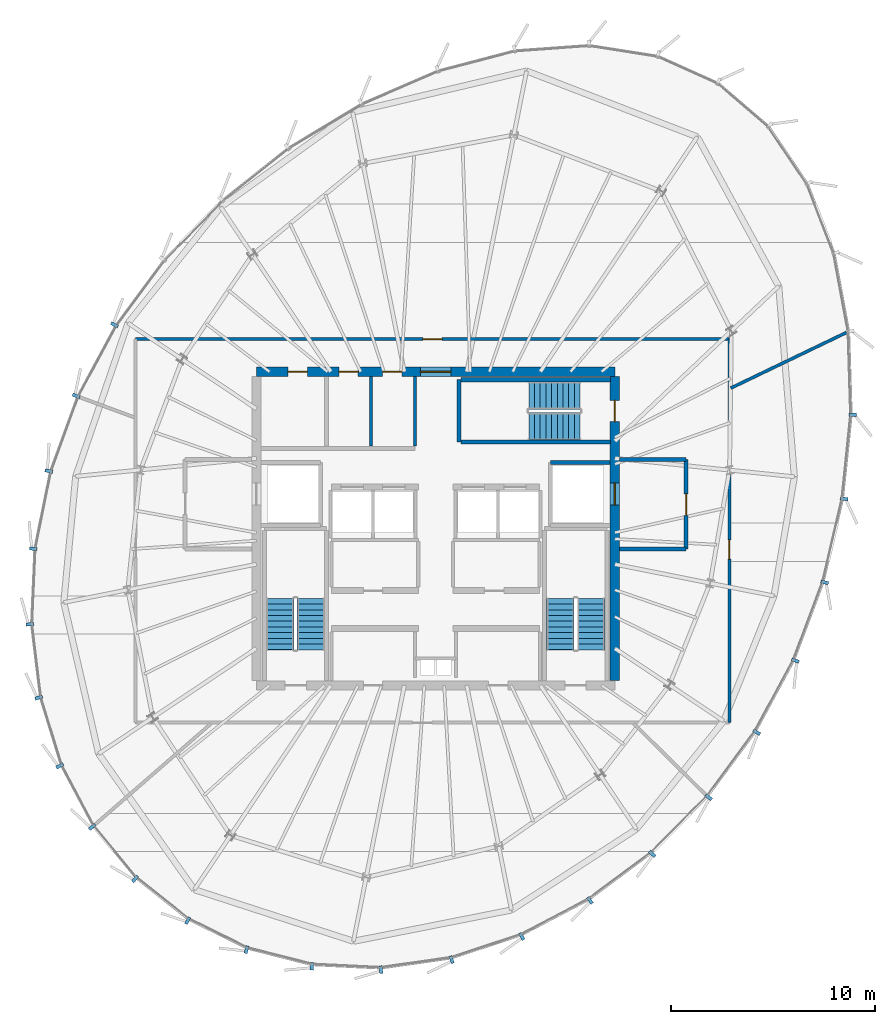
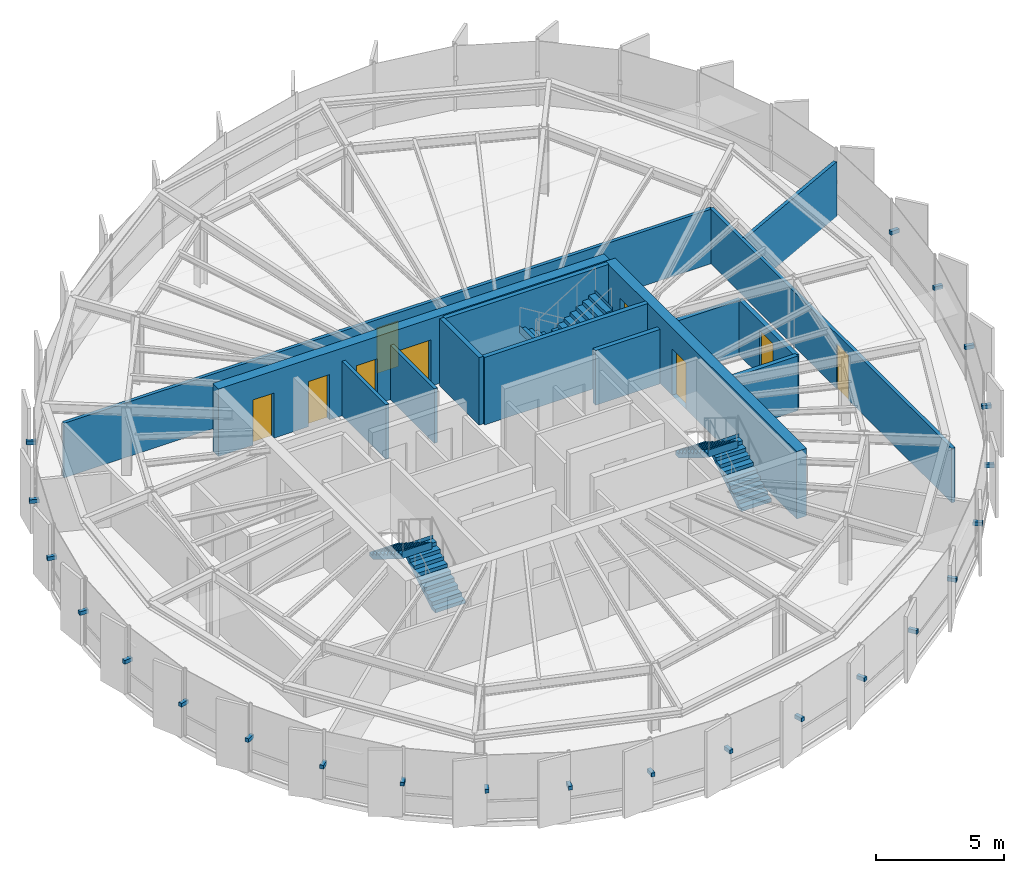
# One storey, part 27 of 33: 23 discrete accessories, 14 walls, 9 doors, 6 stair flights, 9 openings, 3 elements without a shape of their own.
"""IFC4 building model written with IfcOpenShell, lengths in metres."""

from ifc_helpers import new_model, si_unit, direction, frame, frame_2d, origin, origin_2d, place, context, subcontext, project, spatial, polyline, rectangle, outline, extrude, source, transform, mapped, material, layer, layer_set, type_object, element, fill, aggregate, save


model = new_model("IFC4")

# Units and contexts
model_context = context("Model", 3, precision=1e-05, world=origin(), true_north=direction((0.0, 1.0)))
body_context = subcontext(model_context, "Body", "Model", "MODEL_VIEW")
ifc_project = project(units=[si_unit("LENGTHUNIT", "METRE"), si_unit("AREAUNIT", "SQUARE_METRE"), si_unit("VOLUMEUNIT", "CUBIC_METRE"), si_unit("PLANEANGLEUNIT", "RADIAN"), si_unit("MASSUNIT", "GRAM", prefix="KILO"), si_unit("THERMODYNAMICTEMPERATUREUNIT", "KELVIN")], contexts=[model_context])

# Site, building, storey
site_placement = place(None, origin())
site = spatial("IfcSite", under=ifc_project, at=site_placement, CompositionType="ELEMENT")
building_placement = place(site_placement, origin())
building = spatial("IfcBuilding", under=site, at=building_placement, Name="Kethvar Cultural Tower", CompositionType="ELEMENT")
storey_placement = place(building_placement, frame((0.0, 0.0, 266.35009765625)))
storey = spatial("IfcBuildingStorey", under=building, at=storey_placement, Name="L70", CompositionType="ELEMENT", Elevation=266.35009765625)

# Wall, openings, doors
ifc_material_1 = material(Name="Concrete C50/60", Category="concrete")
ifc_layer_1 = layer(ifc_material_1, 0.449951171875, Name="Concrete C50/60", Category="concrete")
ifc_layer_set_1 = layer_set([ifc_layer_1], Name="Concrete C50/60 (450 mm)")
wall_type_1 = type_object("IfcWallType", Name="WL-CORE-450", PredefinedType="SHEAR", material=ifc_layer_set_1)
wall_1_placement = place(storey_placement, frame((55.60009765625, 35.5, 0.0), z_axis=(0.0, 0.0, 1.0), x_axis=(-1.0, 0.0, 0.0)))
wall_1 = element("IfcWall", 1, at=wall_1_placement, inside=storey, type_object=wall_type_1, Name="L70 Core Shear Wall N", PredefinedType="SHEAR", context=body_context, shape_type="SweptSolid", body=[
    extrude(rectangle(XDim=17.60009765625, YDim=0.449951171875, at=frame_2d((8.800048828125, 0.0))), origin(), (0.0, 0.0, 1.0), 3.2099609375),
])
opening_1_placement = place(wall_1_placement, frame((8.050048828125, 0.0, 0.0)))
opening_1 = element("IfcOpeningElement", 2, at=opening_1_placement, cuts=wall_1, Name="Opening D-L70-LN", PredefinedType="OPENING", context=body_context, shape_type="SweptSolid", body=[
    extrude(rectangle(XDim=1.5, YDim=2.199951171875, at=frame_2d((0.75, 1.10009765625))), frame((0.0, 0.23486328125, 0.0), z_axis=(0.0, -1.0, 0.0), x_axis=(1.0, 0.0, 0.0)), (0.0, 0.0, 1.0), 0.469970703125),
])
opening_2_placement = place(wall_1_placement, frame((15.10009765625, 0.0, 0.0)))
opening_2 = element("IfcOpeningElement", 3, at=opening_2_placement, cuts=wall_1, Name="Opening D-L70-E1", PredefinedType="OPENING", context=body_context, shape_type="SweptSolid", body=[
    extrude(rectangle(XDim=0.949951171875, YDim=2.14990234375, at=frame_2d((0.47509765625, 1.074951171875))), frame((0.0, 0.23486328125, 0.0), z_axis=(0.0, -1.0, 0.0), x_axis=(1.0, 0.0, 0.0)), (0.0, 0.0, 1.0), 0.469970703125),
])
opening_3_placement = place(wall_1_placement, frame((12.60009765625, 0.0, 0.0)))
opening_3 = element("IfcOpeningElement", 4, at=opening_3_placement, cuts=wall_1, Name="Opening D-L70-W1", PredefinedType="OPENING", context=body_context, shape_type="SweptSolid", body=[
    extrude(rectangle(XDim=0.949951171875, YDim=2.14990234375, at=frame_2d((0.47509765625, 1.074951171875))), frame((0.0, 0.23486328125, 0.0), z_axis=(0.0, -1.0, 0.0), x_axis=(1.0, 0.0, 0.0)), (0.0, 0.0, 1.0), 0.469970703125),
])
opening_4_placement = place(wall_1_placement, frame((10.449951171875, 0.0, 0.0)))
opening_4 = element("IfcOpeningElement", 5, at=opening_4_placement, cuts=wall_1, Name="Opening D-L70-W2", PredefinedType="OPENING", context=body_context, shape_type="SweptSolid", body=[
    extrude(rectangle(XDim=0.949951171875, YDim=2.14990234375, at=frame_2d((0.47509765625, 1.074951171875))), frame((0.0, 0.23486328125, 0.0), z_axis=(0.0, -1.0, 0.0), x_axis=(1.0, 0.0, 0.0)), (0.0, 0.0, 1.0), 0.469970703125),
])
ifc_material_2 = material(Name="Architectural Oak Timber", Category="wood")
door_type_1 = type_object("IfcDoorType", Name="DR-DBL-FD60-1500", OperationType="DOUBLE_DOOR_SINGLE_SWING", PredefinedType="DOOR", material=ifc_material_2)
shared_shape_1 = source(origin(), body_context, "Body", "SweptSolid", [
    extrude(rectangle(XDim=1.5, YDim=2.199951171875, at=frame_2d((0.75, 1.10009765625))), frame((0.0, 0.02490234375, 0.0), z_axis=(0.0, -1.0, 0.0), x_axis=(1.0, 0.0, 0.0)), (0.0, 0.0, 1.0), 0.050048828125),
])
door_1_placement = place(opening_1_placement, origin())
door_1 = element("IfcDoor", 6, at=door_1_placement, inside=storey, type_object=door_type_1, Name="L70 Lift Lobby Concourse Door", OperationType="DOUBLE_DOOR_SINGLE_SWING", OverallHeight=2.199951171875, OverallWidth=1.5, PredefinedType="DOOR", context=body_context, shape_type="MappedRepresentation", body=[
    mapped(shared_shape_1, transform((0.0, 0.0, 0.0), scale=1.0)),
])
fill(opening_1, door_1)
door_type_2 = type_object("IfcDoorType", Name="DR-FD30-950", OperationType="NOTDEFINED", PredefinedType="DOOR", material=ifc_material_2)
shared_shape_2 = source(origin(), body_context, "Body", "SweptSolid", [
    extrude(rectangle(XDim=0.949951171875, YDim=2.14990234375, at=frame_2d((0.47509765625, 1.074951171875))), frame((0.0, 0.02490234375, 0.0), z_axis=(0.0, -1.0, 0.0), x_axis=(1.0, 0.0, 0.0)), (0.0, 0.0, 1.0), 0.050048828125),
])
door_2_placement = place(opening_2_placement, origin())
door_2 = element("IfcDoor", 7, at=door_2_placement, inside=storey, type_object=door_type_2, Name="L70 Electrical Switchgear Door", OperationType="SINGLE_SWING_RIGHT", OverallHeight=2.14990234375, OverallWidth=0.949951171875, PredefinedType="DOOR", context=body_context, shape_type="MappedRepresentation", body=[
    mapped(shared_shape_2, transform((0.0, 0.0, 0.0), scale=1.0)),
])
fill(opening_2, door_2)
door_3_placement = place(opening_3_placement, origin())
door_3 = element("IfcDoor", 8, at=door_3_placement, inside=storey, type_object=door_type_2, Name="L70 Accessible Washroom Door", OperationType="SINGLE_SWING_LEFT", OverallHeight=2.14990234375, OverallWidth=0.949951171875, PredefinedType="DOOR", context=body_context, shape_type="MappedRepresentation", body=[
    mapped(shared_shape_2, transform((0.0, 0.0, 0.0), scale=1.0)),
])
fill(opening_3, door_3)
door_4_placement = place(opening_4_placement, origin())
door_4 = element("IfcDoor", 9, at=door_4_placement, inside=storey, type_object=door_type_2, Name="L70 Public Washroom Door", OperationType="SINGLE_SWING_RIGHT", OverallHeight=2.14990234375, OverallWidth=0.949951171875, PredefinedType="DOOR", context=body_context, shape_type="MappedRepresentation", body=[
    mapped(shared_shape_2, transform((0.0, 0.0, 0.0), scale=1.0)),
])
fill(opening_4, door_4)

wall_2_placement = place(storey_placement, frame((55.60009765625, 20.340087890625, 0.0), z_axis=(0.0, 0.0, 1.0), x_axis=(0.0, 1.0, 0.0)))
wall_2 = element("IfcWall", 10, at=wall_2_placement, inside=storey, type_object=wall_type_1, Name="L70 Core Shear Wall E", PredefinedType="SHEAR", context=body_context, shape_type="SweptSolid", body=[
    extrude(rectangle(XDim=14.919921875, YDim=0.449951171875, at=frame_2d((7.4599609375, 0.0))), origin(), (0.0, 0.0, 1.0), 3.2099609375),
])
opening_5_placement = place(wall_2_placement, frame((12.7099609375, 0.0, 0.0)))
opening_5 = element("IfcOpeningElement", 11, at=opening_5_placement, cuts=wall_2, Name="Opening D-L70-S3", PredefinedType="OPENING", context=body_context, shape_type="SweptSolid", body=[
    extrude(rectangle(XDim=1.050048828125, YDim=2.14990234375, at=frame_2d((0.52490234375, 1.074951171875))), frame((0.0, 0.23486328125, 0.0), z_axis=(0.0, -1.0, 0.0), x_axis=(1.0, 0.0, 0.0)), (0.0, 0.0, 1.0), 0.469970703125),
])
opening_6_placement = place(wall_2_placement, frame((8.610107421875, 0.0, 0.0)))
opening_6 = element("IfcOpeningElement", 12, at=opening_6_placement, cuts=wall_2, Name="Opening LD-2", PredefinedType="OPENING", context=body_context, shape_type="SweptSolid", body=[
    extrude(rectangle(XDim=1.10009765625, YDim=2.199951171875, at=frame_2d((0.550048828125, 1.10009765625))), frame((0.0, 0.23486328125, 0.0), z_axis=(0.0, -1.0, 0.0), x_axis=(1.0, 0.0, 0.0)), (0.0, 0.0, 1.0), 0.469970703125),
])
ifc_material_3 = material(Name="Steel S355J2", Category="steel")
door_type_3 = type_object("IfcDoorType", Name="DR-FD60-1050", OperationType="NOTDEFINED", PredefinedType="DOOR", material=ifc_material_3)
shared_shape_3 = source(origin(), body_context, "Body", "SweptSolid", [
    extrude(rectangle(XDim=1.050048828125, YDim=2.14990234375, at=frame_2d((0.52490234375, 1.074951171875))), frame((0.0, 0.02490234375, 0.0), z_axis=(0.0, -1.0, 0.0), x_axis=(1.0, 0.0, 0.0)), (0.0, 0.0, 1.0), 0.050048828125),
])
door_5_placement = place(opening_5_placement, origin())
door_5 = element("IfcDoor", 13, at=door_5_placement, inside=storey, type_object=door_type_3, Name="L70 Exit Stair 3 Door", OperationType="SINGLE_SWING_LEFT", OverallHeight=2.14990234375, OverallWidth=1.050048828125, PredefinedType="DOOR", context=body_context, shape_type="MappedRepresentation", body=[
    mapped(shared_shape_3, transform((0.0, 0.0, 0.0), scale=1.0)),
])
fill(opening_5, door_5)
door_type_4 = type_object("IfcDoorType", Name="DR-LIFT-SLIDE-1100", OperationType="NOTDEFINED", PredefinedType="DOOR", material=ifc_material_3)
shared_shape_4 = source(origin(), body_context, "Body", "SweptSolid", [
    extrude(rectangle(XDim=1.10009765625, YDim=2.199951171875, at=frame_2d((0.550048828125, 1.10009765625))), frame((0.0, 0.02490234375, 0.0), z_axis=(0.0, -1.0, 0.0), x_axis=(1.0, 0.0, 0.0)), (0.0, 0.0, 1.0), 0.050048828125),
])
door_6_placement = place(opening_6_placement, origin())
door_6 = element("IfcDoor", 14, at=door_6_placement, inside=storey, type_object=door_type_4, Name="L70 Firefighting Lift Landing Door FFL-02", OperationType="SLIDING_TO_RIGHT", OverallHeight=2.199951171875, OverallWidth=1.10009765625, PredefinedType="DOOR", context=body_context, shape_type="MappedRepresentation", body=[
    mapped(shared_shape_4, transform((0.0, 0.0, 0.0), scale=1.0)),
])
fill(opening_6, door_6)

# Wall
ifc_material_4 = material(Name="Gypsum Fireboard Partition")
ifc_layer_2 = layer(ifc_material_4, 0.14990234375, Name="Gypsum Fireboard Partition")
ifc_layer_set_2 = layer_set([ifc_layer_2], Name="Gypsum Fireboard Partition (150 mm)")
wall_type_2 = type_object("IfcWallType", Name="WL-FIRE-150", PredefinedType="PARTITIONING", material=ifc_layer_set_2)
wall_3_placement = place(storey_placement, frame((45.800048828125, 31.85009765625, 0.0), z_axis=(0.0, 0.0, 1.0), x_axis=(0.0, 1.0, 0.0)))
element("IfcWall", 15, at=wall_3_placement, inside=storey, type_object=wall_type_2, Name="L70 Sanitary Spine Wall", PredefinedType="PARTITIONING", context=body_context, shape_type="SweptSolid", body=[
    extrude(rectangle(XDim=3.414794921875, YDim=0.14990234375, at=frame_2d((1.70751953125, 0.0))), origin(), (0.0, 0.0, 1.0), 2.594970703125),
])

# Wall, opening, door
wall_4_placement = place(storey_placement, frame((61.22607421875, 18.26904296875, 0.0), z_axis=(0.0, 0.0, 1.0), x_axis=(0.0, 1.0, 0.0)))
wall_4 = element("IfcWall", 16, at=wall_4_placement, inside=storey, type_object=wall_type_2, Name="L70 Corridor Rated Wall E", PredefinedType="PARTITIONING", context=body_context, shape_type="SweptSolid", body=[
    extrude(rectangle(XDim=18.8310546875, YDim=0.14990234375, at=frame_2d((9.41552734375, 0.0))), origin(), (0.0, 0.0, 1.0), 2.594970703125),
])
opening_7_placement = place(wall_4_placement, frame((8.027587890625, 0.0, 0.0)))
opening_7 = element("IfcOpeningElement", 17, at=opening_7_placement, cuts=wall_4, Name="Opening D-L70-02", PredefinedType="OPENING", context=body_context, shape_type="SweptSolid", body=[
    extrude(rectangle(XDim=0.949951171875, YDim=2.14990234375, at=frame_2d((0.47509765625, 1.074951171875))), frame((0.0, 0.0849609375, 0.0), z_axis=(0.0, -1.0, 0.0), x_axis=(1.0, 0.0, 0.0)), (0.0, 0.0, 1.0), 0.169921875),
])
door_7_placement = place(opening_7_placement, origin())
door_7 = element("IfcDoor", 18, at=door_7_placement, inside=storey, type_object=door_type_2, Name="L70 Registrar Staff Room 02 Door", OperationType="SINGLE_SWING_RIGHT", OverallHeight=2.14990234375, OverallWidth=0.949951171875, PredefinedType="DOOR", context=body_context, shape_type="MappedRepresentation", body=[
    mapped(shared_shape_2, transform((0.0, 0.0, 0.0), scale=1.0)),
])
fill(opening_7, door_7)

wall_5_placement = place(storey_placement, frame((61.22607421875, 37.10009765625, 0.0), z_axis=(0.0, 0.0, 1.0), x_axis=(-1.0, 0.0, 0.0)))
wall_5 = element("IfcWall", 19, at=wall_5_placement, inside=storey, type_object=wall_type_2, Name="L70 Corridor Rated Wall N", PredefinedType="PARTITIONING", context=body_context, shape_type="SweptSolid", body=[
    extrude(rectangle(XDim=29.156005859375, YDim=0.14990234375, at=frame_2d((14.578125, 0.0))), origin(), (0.0, 0.0, 1.0), 2.594970703125),
])
opening_8_placement = place(wall_5_placement, frame((14.10302734375, 0.0, 0.0)))
opening_8 = element("IfcOpeningElement", 20, at=opening_8_placement, cuts=wall_5, Name="Opening D-L70-03", PredefinedType="OPENING", context=body_context, shape_type="SweptSolid", body=[
    extrude(rectangle(XDim=0.949951171875, YDim=2.14990234375, at=frame_2d((0.47509765625, 1.074951171875))), frame((0.0, 0.0849609375, 0.0), z_axis=(0.0, -1.0, 0.0), x_axis=(1.0, 0.0, 0.0)), (0.0, 0.0, 1.0), 0.169921875),
])
door_8_placement = place(opening_8_placement, origin())
door_8 = element("IfcDoor", 21, at=door_8_placement, inside=storey, type_object=door_type_2, Name="L70 Delegation Briefing Foyer 03 Door", OperationType="SINGLE_SWING_LEFT", OverallHeight=2.14990234375, OverallWidth=0.949951171875, PredefinedType="DOOR", context=body_context, shape_type="MappedRepresentation", body=[
    mapped(shared_shape_2, transform((0.0, 0.0, 0.0), scale=1.0)),
])
fill(opening_8, door_8)

# Wall
ifc_material_5 = material(Name="Concrete C40/50", Category="concrete")
ifc_layer_3 = layer(ifc_material_5, 0.199951171875, Name="Concrete C40/50", Category="concrete")
ifc_layer_set_3 = layer_set([ifc_layer_3], Name="Concrete C40/50 (200 mm)")
wall_type_3 = type_object("IfcWallType", Name="WL-FIRE-200", PredefinedType="PARTITIONING", material=ifc_layer_set_3)
wall_6_placement = place(storey_placement, frame((52.449951171875, 31.050048828125, 0.0), z_axis=(0.0, 0.0, 1.0), x_axis=(1.0, 0.0, 0.0)))
element("IfcWall", 22, at=wall_6_placement, inside=storey, type_object=wall_type_3, Name="L70 FFL-02 Shaft North Wall", PredefinedType="PARTITIONING", context=body_context, shape_type="SweptSolid", body=[
    extrude(rectangle(XDim=2.9150390625, YDim=0.199951171875, at=frame_2d((1.45751953125, 0.0))), origin(), (0.0, 0.0, 1.0), 2.594970703125),
])

# Wall, opening, door
wall_7_placement = place(storey_placement, frame((59.10009765625, 26.800048828125, 0.0), z_axis=(0.0, 0.0, 1.0), x_axis=(0.0, 1.0, 0.0)))
wall_7 = element("IfcWall", 23, at=wall_7_placement, inside=storey, type_object=wall_type_3, Name="L70 Firefighting Lobby 2 Wall", PredefinedType="PARTITIONING", context=body_context, shape_type="SweptSolid", body=[
    extrude(rectangle(XDim=4.39990234375, YDim=0.199951171875, at=frame_2d((2.199951171875, 0.0))), origin(), (0.0, 0.0, 1.0), 2.594970703125),
])
opening_9_placement = place(wall_7_placement, frame((1.64990234375, 0.0, 0.0)))
opening_9 = element("IfcOpeningElement", 24, at=opening_9_placement, cuts=wall_7, Name="Opening D-L70-F2", PredefinedType="OPENING", context=body_context, shape_type="SweptSolid", body=[
    extrude(rectangle(XDim=1.050048828125, YDim=2.14990234375, at=frame_2d((0.52490234375, 1.074951171875))), frame((0.0, 0.10986328125, 0.0), z_axis=(0.0, -1.0, 0.0), x_axis=(1.0, 0.0, 0.0)), (0.0, 0.0, 1.0), 0.219970703125),
])
door_9_placement = place(opening_9_placement, origin())
door_9 = element("IfcDoor", 25, at=door_9_placement, inside=storey, type_object=door_type_3, Name="L70 Firefighting Lobby 2 Fire Door", OperationType="SINGLE_SWING_LEFT", OverallHeight=2.14990234375, OverallWidth=1.050048828125, PredefinedType="DOOR", context=body_context, shape_type="MappedRepresentation", body=[
    mapped(shared_shape_3, transform((0.0, 0.0, 0.0), scale=1.0)),
])
fill(opening_9, door_9)

# Walls
for number, where, z_axis, x_axis, name in (
    (26, (55.8349609375, 26.800048828125, 0.0), (0.0, 0.0, 1.0), (1.0, 0.0, 0.0), "L70 FF Lobby 2 South Wall"),
    (27, (55.8349609375, 31.199951171875, 0.0), (0.0, 0.0, 1.0), (1.0, 0.0, 0.0), "L70 FF Lobby 2 North Wall"),
):
    element("IfcWall", number, at=place(storey_placement, frame(where, z_axis=z_axis, x_axis=x_axis)), inside=storey, type_object=wall_type_3, Name=name, PredefinedType="PARTITIONING", context=body_context, shape_type="SweptSolid", body=[
        extrude(rectangle(XDim=3.26513671875, YDim=0.199951171875, at=frame_2d((1.632568359375, 0.0))), origin(), (0.0, 0.0, 1.0), 2.594970703125),
    ])
ifc_material_6 = material(Name="Gypsum Acoustic Partition")
ifc_layer_4 = layer(ifc_material_6, 0.14990234375, Name="Gypsum Acoustic Partition")
ifc_layer_set_4 = layer_set([ifc_layer_4], Name="Gypsum Acoustic Partition (150 mm)")
wall_type_4 = type_object("IfcWallType", Name="WL-PART-150", PredefinedType="PARTITIONING", material=ifc_layer_set_4)
wall_8_placement = place(storey_placement, frame((61.298095703125, 34.698486328125, 0.0), z_axis=(0.0, 0.0, 1.0), x_axis=(0.901269589743, 0.433258729403, 0.0)))
element("IfcWall", 28, at=wall_8_placement, inside=storey, type_object=wall_type_4, Name="L70 Radial Partition Wall 03", PredefinedType="PARTITIONING", context=body_context, shape_type="SweptSolid", body=[
    extrude(rectangle(XDim=6.301513671875, YDim=0.14990234375, at=frame_2d((3.15087890625, 0.0))), origin(), (0.0, 0.0, 1.0), 2.594970703125),
])
ifc_material_7 = material(Name="Moisture-Resistant Sanitary Chase Wall")
ifc_layer_5 = layer(ifc_material_7, 0.14990234375, Name="Moisture-Resistant Sanitary Chase Wall")
ifc_layer_set_5 = layer_set([ifc_layer_5], Name="Moisture-Resistant Sanitary Chase Wall (150 mm)")
wall_type_5 = type_object("IfcWallType", Name="WL-PLUMB-150", PredefinedType="PLUMBINGWALL", material=ifc_layer_set_5)
wall_9_placement = place(storey_placement, frame((43.6201171875, 31.85009765625, 0.0), z_axis=(0.0, 0.0, 1.0), x_axis=(0.0, 1.0, 0.0)))
element("IfcWall", 29, at=wall_9_placement, inside=storey, type_object=wall_type_5, Name="L70 Sanitary Plumbing Wall", PredefinedType="PLUMBINGWALL", context=body_context, shape_type="SweptSolid", body=[
    extrude(rectangle(XDim=3.414794921875, YDim=0.14990234375, at=frame_2d((1.70751953125, 0.0))), origin(), (0.0, 0.0, 1.0), 2.594970703125),
])
ifc_layer_6 = layer(ifc_material_1, 0.199951171875, Name="Concrete C50/60", Category="concrete")
ifc_layer_set_6 = layer_set([ifc_layer_6], Name="Concrete C50/60 (200 mm)")
wall_type_6 = type_object("IfcWallType", Name="WL-STSHAFT-200", PredefinedType="SHEAR", material=ifc_layer_set_6)
wall_10_placement = place(storey_placement, frame((47.949951171875, 32.050048828125, 0.0), z_axis=(0.0, 0.0, 1.0), x_axis=(0.0, 1.0, 0.0)))
element("IfcWall", 30, at=wall_10_placement, inside=storey, type_object=wall_type_6, Name="L70 ST-03 Stair Shaft Wall FAR", PredefinedType="SHEAR", context=body_context, shape_type="SweptSolid", body=[
    extrude(rectangle(XDim=3.06005859375, YDim=0.199951171875, at=frame_2d((1.530029296875, 0.0))), origin(), (0.0, 0.0, 1.0), 3.2099609375),
])
for number, where, z_axis, x_axis, name in (
    (31, (48.050048828125, 35.110107421875, 0.0), (0.0, 0.0, 1.0), (1.0, 0.0, 0.0), "L70 ST-03 Stair Shaft Wall LEFT"),
    (32, (55.39990234375, 32.050048828125, 0.0), (0.0, 0.0, 1.0), (-1.0, 0.0, 0.0), "L70 ST-03 Stair Shaft Wall RIGHT"),
):
    element("IfcWall", number, at=place(storey_placement, frame(where, z_axis=z_axis, x_axis=x_axis)), inside=storey, type_object=wall_type_6, Name=name, PredefinedType="SHEAR", context=body_context, shape_type="SweptSolid", body=[
        extrude(rectangle(XDim=7.349853515625, YDim=0.199951171875, at=frame_2d((3.6748046875, 0.0))), origin(), (0.0, 0.0, 1.0), 3.2099609375),
    ])

# Stair, stair flights
stair_type = type_object("IfcStairType", Name="ST-DOGLEG-135", PredefinedType="HALF_TURN_STAIR", material=ifc_material_5)
stair_1_placement = place(storey_placement, origin())
stair_1 = element("IfcStair", 33, at=stair_1_placement, inside=storey, type_object=stair_type, Name="L70 Core Exit Stair 1", PredefinedType="HALF_TURN_STAIR")
stair_flight_type = type_object("IfcStairFlightType", Name="FL-STRAIGHT-135", PredefinedType="STRAIGHT", material=ifc_material_5)
stair_flight_1_placement = place(storey_placement, frame((40.675048828125, 21.85009765625, 0.0), z_axis=(0.0, 0.0, 1.0), x_axis=(0.0, 1.0, 0.0)))
stair_flight_1 = element("IfcStairFlight", 34, at=stair_flight_1_placement, type_object=stair_flight_type, Name="ST-01 flight 1", NumberOfRisers=10, NumberOfTreads=9, PredefinedType="STRAIGHT", RiserHeight=0.1725, TreadLength=0.28, context=body_context, shape_type="SweptSolid", body=[
    extrude(outline(polyline([(-0.0009765625, -0.0009765625), (-0.0009765625, 0.172607421875), (0.280029296875, 0.172607421875), (0.280029296875, 0.344970703125), (0.56005859375, 0.344970703125), (0.56005859375, 0.517578125), (0.840087890625, 0.517578125), (0.840087890625, 0.68994140625), (1.1201171875, 0.68994140625), (1.1201171875, 0.862548828125), (1.39990234375, 0.862548828125), (1.39990234375, 1.034912109375), (1.679931640625, 1.034912109375), (1.679931640625, 1.20751953125), (1.9599609375, 1.20751953125), (1.9599609375, 1.3798828125), (2.239990234375, 1.3798828125), (2.239990234375, 1.552490234375), (2.52001953125, 1.552490234375), (2.52001953125, 1.72509765625), (2.52099609375, 1.72509765625), (2.52099609375, 1.37646484375), (0.285888671875, 0.0), (0.0, -0.0009765625), (-0.0009765625, -0.0009765625)])), frame((0.0, 0.675048828125, 0.0), z_axis=(0.0, -1.0, 0.0), x_axis=(1.0, 0.0, 0.0)), (0.0, 0.0, 1.0), 1.35009765625),
])
stair_flight_2_placement = place(storey_placement, frame((39.1650390625, 24.3701171875, 1.724853515625), z_axis=(0.0, 0.0, 1.0), x_axis=(0.0, -1.0, 0.0)))
stair_flight_2 = element("IfcStairFlight", 35, at=stair_flight_2_placement, type_object=stair_flight_type, Name="ST-01 flight 2", NumberOfRisers=10, NumberOfTreads=9, PredefinedType="STRAIGHT", RiserHeight=0.1725, TreadLength=0.28, context=body_context, shape_type="SweptSolid", body=[
    extrude(outline(polyline([(-0.0009765625, -0.0009765625), (-0.0009765625, 0.172607421875), (0.280029296875, 0.172607421875), (0.280029296875, 0.344970703125), (0.56005859375, 0.344970703125), (0.56005859375, 0.517578125), (0.840087890625, 0.517578125), (0.840087890625, 0.68994140625), (1.1201171875, 0.68994140625), (1.1201171875, 0.862548828125), (1.39990234375, 0.862548828125), (1.39990234375, 1.034912109375), (1.679931640625, 1.034912109375), (1.679931640625, 1.20751953125), (1.9599609375, 1.20751953125), (1.9599609375, 1.3798828125), (2.239990234375, 1.3798828125), (2.239990234375, 1.552490234375), (2.52001953125, 1.552490234375), (2.52001953125, 1.72509765625), (2.52099609375, 1.72509765625), (2.52099609375, 1.37646484375), (0.285888671875, 0.0), (0.0, -0.0009765625), (-0.0009765625, -0.0009765625)])), frame((0.0, 0.675048828125, 0.0), z_axis=(0.0, -1.0, 0.0), x_axis=(1.0, 0.0, 0.0)), (0.0, 0.0, 1.0), 1.35009765625),
])
aggregate(stair_1, [stair_flight_1, stair_flight_2])

stair_2_placement = place(storey_placement, origin())
stair_2 = element("IfcStair", 36, at=stair_2_placement, inside=storey, type_object=stair_type, Name="L70 Core Exit Stair 2", PredefinedType="HALF_TURN_STAIR")
stair_flight_3_placement = place(storey_placement, frame((54.43505859375, 21.85009765625, 0.0), z_axis=(0.0, 0.0, 1.0), x_axis=(0.0, 1.0, 0.0)))
stair_flight_3 = element("IfcStairFlight", 37, at=stair_flight_3_placement, type_object=stair_flight_type, Name="ST-02 flight 1", NumberOfRisers=10, NumberOfTreads=9, PredefinedType="STRAIGHT", RiserHeight=0.1725, TreadLength=0.28, context=body_context, shape_type="SweptSolid", body=[
    extrude(outline(polyline([(-0.0009765625, -0.0009765625), (-0.0009765625, 0.172607421875), (0.280029296875, 0.172607421875), (0.280029296875, 0.344970703125), (0.56005859375, 0.344970703125), (0.56005859375, 0.517578125), (0.840087890625, 0.517578125), (0.840087890625, 0.68994140625), (1.1201171875, 0.68994140625), (1.1201171875, 0.862548828125), (1.39990234375, 0.862548828125), (1.39990234375, 1.034912109375), (1.679931640625, 1.034912109375), (1.679931640625, 1.20751953125), (1.9599609375, 1.20751953125), (1.9599609375, 1.3798828125), (2.239990234375, 1.3798828125), (2.239990234375, 1.552490234375), (2.52001953125, 1.552490234375), (2.52001953125, 1.72509765625), (2.52099609375, 1.72509765625), (2.52099609375, 1.37646484375), (0.285888671875, 0.0), (0.0, -0.0009765625), (-0.0009765625, -0.0009765625)])), frame((0.0, 0.675048828125, 0.0), z_axis=(0.0, -1.0, 0.0), x_axis=(1.0, 0.0, 0.0)), (0.0, 0.0, 1.0), 1.35009765625),
])
stair_flight_4_placement = place(storey_placement, frame((52.925048828125, 24.3701171875, 1.724853515625), z_axis=(0.0, 0.0, 1.0), x_axis=(0.0, -1.0, 0.0)))
stair_flight_4 = element("IfcStairFlight", 38, at=stair_flight_4_placement, type_object=stair_flight_type, Name="ST-02 flight 2", NumberOfRisers=10, NumberOfTreads=9, PredefinedType="STRAIGHT", RiserHeight=0.1725, TreadLength=0.28, context=body_context, shape_type="SweptSolid", body=[
    extrude(outline(polyline([(-0.0009765625, -0.0009765625), (-0.0009765625, 0.172607421875), (0.280029296875, 0.172607421875), (0.280029296875, 0.344970703125), (0.56005859375, 0.344970703125), (0.56005859375, 0.517578125), (0.840087890625, 0.517578125), (0.840087890625, 0.68994140625), (1.1201171875, 0.68994140625), (1.1201171875, 0.862548828125), (1.39990234375, 0.862548828125), (1.39990234375, 1.034912109375), (1.679931640625, 1.034912109375), (1.679931640625, 1.20751953125), (1.9599609375, 1.20751953125), (1.9599609375, 1.3798828125), (2.239990234375, 1.3798828125), (2.239990234375, 1.552490234375), (2.52001953125, 1.552490234375), (2.52001953125, 1.72509765625), (2.52099609375, 1.72509765625), (2.52099609375, 1.37646484375), (0.285888671875, 0.0), (0.0, -0.0009765625), (-0.0009765625, -0.0009765625)])), frame((0.0, 0.675048828125, 0.0), z_axis=(0.0, -1.0, 0.0), x_axis=(1.0, 0.0, 0.0)), (0.0, 0.0, 1.0), 1.35009765625),
])
aggregate(stair_2, [stair_flight_3, stair_flight_4])

stair_3_placement = place(storey_placement, origin())
stair_3 = element("IfcStair", 39, at=stair_3_placement, inside=storey, type_object=stair_type, Name="L70 Core Exit Stair 3", PredefinedType="HALF_TURN_STAIR")
stair_flight_5_placement = place(storey_placement, frame((53.89990234375, 34.3349609375, 0.0), z_axis=(0.0, 0.0, 1.0), x_axis=(-1.0, 0.0, 0.0)))
stair_flight_5 = element("IfcStairFlight", 40, at=stair_flight_5_placement, type_object=stair_flight_type, Name="ST-03 flight 1", NumberOfRisers=10, NumberOfTreads=9, PredefinedType="STRAIGHT", RiserHeight=0.1725, TreadLength=0.28, context=body_context, shape_type="SweptSolid", body=[
    extrude(outline(polyline([(-0.0009765625, -0.0009765625), (-0.0009765625, 0.172607421875), (0.280029296875, 0.172607421875), (0.280029296875, 0.344970703125), (0.56005859375, 0.344970703125), (0.56005859375, 0.517578125), (0.840087890625, 0.517578125), (0.840087890625, 0.68994140625), (1.1201171875, 0.68994140625), (1.1201171875, 0.862548828125), (1.39990234375, 0.862548828125), (1.39990234375, 1.034912109375), (1.679931640625, 1.034912109375), (1.679931640625, 1.20751953125), (1.9599609375, 1.20751953125), (1.9599609375, 1.3798828125), (2.239990234375, 1.3798828125), (2.239990234375, 1.552490234375), (2.52001953125, 1.552490234375), (2.52001953125, 1.72509765625), (2.52099609375, 1.72509765625), (2.52099609375, 1.37646484375), (0.285888671875, 0.0), (0.0, -0.0009765625), (-0.0009765625, -0.0009765625)])), frame((0.0, 0.675048828125, 0.0), z_axis=(0.0, -1.0, 0.0), x_axis=(1.0, 0.0, 0.0)), (0.0, 0.0, 1.0), 1.35009765625),
])
stair_flight_6_placement = place(storey_placement, frame((51.3798828125, 32.824951171875, 1.724853515625), z_axis=(0.0, 0.0, 1.0), x_axis=(1.0, 0.0, 0.0)))
stair_flight_6 = element("IfcStairFlight", 41, at=stair_flight_6_placement, type_object=stair_flight_type, Name="ST-03 flight 2", NumberOfRisers=10, NumberOfTreads=9, PredefinedType="STRAIGHT", RiserHeight=0.1725, TreadLength=0.28, context=body_context, shape_type="SweptSolid", body=[
    extrude(outline(polyline([(-0.0009765625, -0.0009765625), (-0.0009765625, 0.172607421875), (0.280029296875, 0.172607421875), (0.280029296875, 0.344970703125), (0.56005859375, 0.344970703125), (0.56005859375, 0.517578125), (0.840087890625, 0.517578125), (0.840087890625, 0.68994140625), (1.1201171875, 0.68994140625), (1.1201171875, 0.862548828125), (1.39990234375, 0.862548828125), (1.39990234375, 1.034912109375), (1.679931640625, 1.034912109375), (1.679931640625, 1.20751953125), (1.9599609375, 1.20751953125), (1.9599609375, 1.3798828125), (2.239990234375, 1.3798828125), (2.239990234375, 1.552490234375), (2.52001953125, 1.552490234375), (2.52001953125, 1.72509765625), (2.52099609375, 1.72509765625), (2.52099609375, 1.37646484375), (0.285888671875, 0.0), (0.0, -0.0009765625), (-0.0009765625, -0.0009765625)])), frame((0.0, 0.675048828125, 0.0), z_axis=(0.0, -1.0, 0.0), x_axis=(1.0, 0.0, 0.0)), (0.0, 0.0, 1.0), 1.35009765625),
])
aggregate(stair_3, [stair_flight_5, stair_flight_6])

# Discrete accessories
discrete_accessory_type = type_object("IfcDiscreteAccessoryType", Name="Steel Fin Bracket BRK-01", PredefinedType="BRACKET", material=ifc_material_3)
shared_shape_5 = source(origin(), body_context, "Body", "SweptSolid", [
    extrude(rectangle(XDim=0.3798828125, YDim=0.159912109375, at=origin_2d()), origin(), (0.0, 0.0, 1.0), 0.179931640625),
])
for number, where, z_axis, x_axis, name in (
    (42, (31.03125, 37.806396484375, 1.51513671875), (0.0, 0.0, 1.0), (-0.880477353509, 0.474088209047, 0.0), "L70 Terracotta Fin Bracket 2.4"),
    (43, (29.151611328125, 34.314697265625, 1.51513671875), (0.0, 0.0, 1.0), (-0.939632912698, 0.342184145417, 0.0), "L70 Terracotta Fin Bracket 2.5"),
    (44, (27.807861328125, 30.625244140625, 1.51513671875), (0.0, 0.0, 1.0), (-0.979994237457, 0.199025864028, 0.0), "L70 Terracotta Fin Bracket 2.6"),
    (45, (27.03955078125, 26.81396484375, 1.51513671875), (0.0, 0.0, 1.0), (-0.999017526045, 0.044316843913, 0.0), "L70 Terracotta Fin Bracket 3.1"),
    (46, (26.875, 23.10302734375, 1.51513671875), (0.0, 0.0, 1.0), (-0.992673228672, -0.120829884873, 0.0), "L70 Terracotta Fin Bracket 3.2"),
    (47, (27.314208984375, 19.4990234375, 1.51513671875), (0.0, 0.0, 1.0), (-0.955793014798, -0.294040325232, 0.0), "L70 Terracotta Fin Bracket 3.3"),
    (48, (28.34521484375, 16.14697265625, 1.51513671875), (0.0, 0.0, 1.0), (-0.883193286551, -0.469009188174, 0.0), "L70 Terracotta Fin Bracket 3.4"),
    (49, (29.9375, 13.14892578125, 1.51513671875), (0.0, 0.0, 1.0), (-0.771624583388, -0.636078220278, 0.0), "L70 Terracotta Fin Bracket 3.5"),
    (50, (32.0419921875, 10.59619140625, 1.51513671875), (0.0, 0.0, 1.0), (-0.622378036266, -0.782716794233, 0.0), "L70 Terracotta Fin Bracket 3.6"),
    (51, (34.627197265625, 8.55029296875, 1.51513671875), (0.0, 0.0, 1.0), (-0.443227650474, -0.896409086219, 0.0), "L70 Terracotta Fin Bracket 4.1"),
    (52, (37.51904296875, 7.120849609375, 1.51513671875), (0.0, 0.0, 1.0), (-0.246999012723, -0.969015731407, 0.0), "L70 Terracotta Fin Bracket 4.2"),
    (53, (40.72509765625, 6.303955078125, 1.51513671875), (0.0, 0.0, 1.0), (-0.048326789453, -0.998831578106, 0.0), "L70 Terracotta Fin Bracket 4.3"),
    (54, (44.115478515625, 6.14013671875, 1.51513671875), (0.0, 0.0, 1.0), (0.140901231938, -0.990023657717, 0.0), "L70 Terracotta Fin Bracket 4.4"),
    (55, (47.58740234375, 6.634521484375, 1.51513671875), (0.0, 0.0, 1.0), (0.31332955548, -0.949644454342, 0.0), "L70 Terracotta Fin Bracket 4.5"),
    (56, (51.03515625, 7.77197265625, 1.51513671875), (0.0, 0.0, 1.0), (0.465460053753, -0.885068889048, 0.0), "L70 Terracotta Fin Bracket 4.6"),
    (57, (54.3828125, 9.539306640625, 1.51513671875), (0.0, 0.0, 1.0), (0.597345238075, -0.801984205923, 0.0), "L70 Terracotta Fin Bracket 5.1"),
    (58, (57.44384765625, 11.819091796875, 1.51513671875), (0.0, 0.0, 1.0), (0.709693707598, -0.704510355776, 0.0), "L70 Terracotta Fin Bracket 5.2"),
    (59, (60.2099609375, 14.606201171875, 1.51513671875), (0.0, 0.0, 1.0), (0.803856860617, -0.594822786751, 0.0), "L70 Terracotta Fin Bracket 5.3"),
    (60, (62.56884765625, 17.793701171875, 1.51513671875), (0.0, 0.0, 1.0), (0.880146162961, -0.474702782617, 0.0), "L70 Terracotta Fin Bracket 5.4"),
    (61, (64.47021484375, 21.319091796875, 1.51513671875), (0.0, 0.0, 1.0), (0.936366219035, -0.351024648492, 0.0), "L70 Terracotta Fin Bracket 5.5"),
    (62, (65.9091796875, 25.159423828125, 1.51513671875), (0.0, 0.0, 1.0), (0.973658553048, -0.228011013058, 0.0), "L70 Terracotta Fin Bracket 5.6"),
    (63, (66.865478515625, 29.262939453125, 1.51513671875), (0.0, 0.0, 1.0), (0.994684861285, -0.102966143613, 0.0), "L70 Terracotta Fin Bracket 6.1"),
    (64, (67.29296875, 33.39111328125, 1.51513671875), (0.0, 0.0, 1.0), (0.999528245637, 0.030712964265, 0.0), "L70 Terracotta Fin Bracket 6.2"),
):
    element("IfcDiscreteAccessory", number, at=place(storey_placement, frame(where, z_axis=z_axis, x_axis=x_axis)), inside=storey, type_object=discrete_accessory_type, Name=name, PredefinedType="BRACKET", context=body_context, shape_type="MappedRepresentation", body=[
        mapped(shared_shape_5, transform((0.0, 0.0, 0.0), scale=1.0)),
    ])

save(model, "model.ifc")
